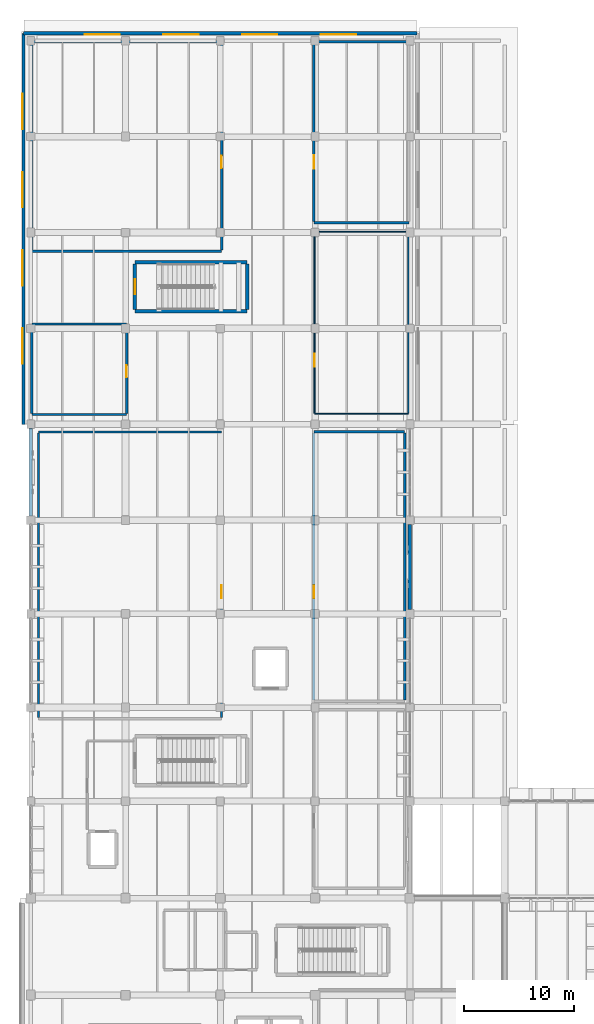
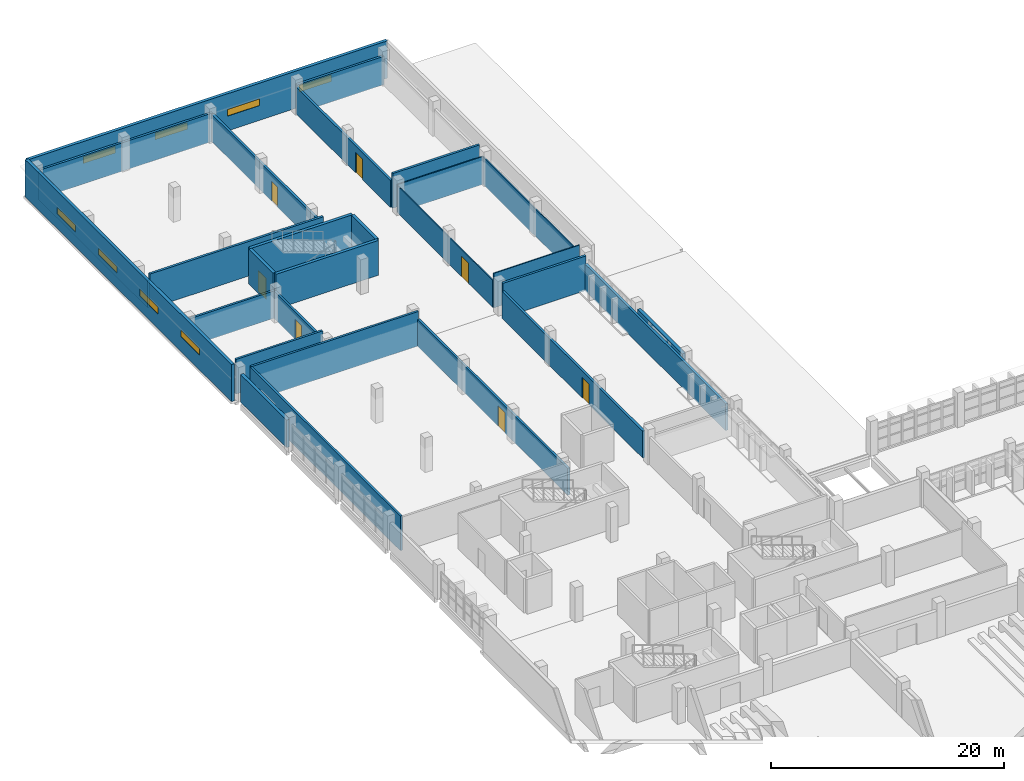
# One storey, part 63 of 80: 29 walls, 8 windows, 7 doors, 15 openings.
"""IFC4 building model written with IfcOpenShell, lengths in metres."""

from ifc_helpers import new_model, si_unit, direction, frame, frame_2d, origin, place, context, subcontext, project, spatial, rectangle, extrude, material, layer, layer_set, type_object, element, fill, save


model = new_model("IFC4")

# Units and contexts
model_context = context("Model", 3, precision=1e-05, world=origin(), true_north=direction((0.0, 1.0)))
body_context = subcontext(model_context, "Body", "Model", "MODEL_VIEW")
ifc_project = project(units=[si_unit("LENGTHUNIT", "METRE"), si_unit("AREAUNIT", "SQUARE_METRE"), si_unit("VOLUMEUNIT", "CUBIC_METRE"), si_unit("PLANEANGLEUNIT", "RADIAN"), si_unit("MASSUNIT", "GRAM", prefix="KILO")], contexts=[model_context])

# Site, building, storey
site_placement = place(None, origin())
site = spatial("IfcSite", under=ifc_project, at=site_placement, CompositionType="ELEMENT")
building_placement = place(site_placement, origin())
building = spatial("IfcBuilding", under=site, at=building_placement, Name="Varnakota Cinema and Media Centre", CompositionType="ELEMENT")
storey_placement = place(building_placement, frame((0.0, 0.0, 4.5)))
storey = spatial("IfcBuildingStorey", under=building, at=storey_placement, Name="L01", CompositionType="ELEMENT", Elevation=4.5)

# Walls
ifc_material_1 = material(Name="Autoclaved aerated concrete blockwork", Category="masonry")
ifc_layer_1 = layer(ifc_material_1, 0.2099609375)
ifc_layer_set_1 = layer_set([ifc_layer_1], Name="Autoclaved aerated concrete blockwork")
wall_type_1 = type_object("IfcWallType", Name="W-ACOUST-210", PredefinedType="PARTITIONING", material=ifc_layer_set_1)
wall_1_placement = place(storey_placement, frame((0.695068359375, 51.60009765625, 0.0), z_axis=(0.0, 0.0, 1.0), x_axis=(0.0, 1.0, 0.0)))
element("IfcWall", 1, at=wall_1_placement, inside=storey, type_object=wall_type_1, Name="L01 RWALL-RM-L01-FOLEY2 W wall", PredefinedType="PARTITIONING", context=body_context, shape_type="SweptSolid", body=[
    extrude(rectangle(XDim=25.7998046875, YDim=0.2099609375, at=frame_2d((12.89990234375, 0.0))), origin(), (0.0, 0.0, 1.0), 3.6298828125),
])
wall_2_placement = place(storey_placement, frame((0.695068359375, 77.5048828125, 0.0), z_axis=(0.0, 0.0, 1.0), x_axis=(1.0, 0.0, 0.0)))
element("IfcWall", 2, at=wall_2_placement, inside=storey, type_object=wall_type_1, Name="L01 RWALL-RM-L01-FOLEY2 N wall", PredefinedType="PARTITIONING", context=body_context, shape_type="SweptSolid", body=[
    extrude(rectangle(XDim=16.60986328125, YDim=0.2099609375, at=frame_2d((8.304931640625, 0.0))), origin(), (0.0, 0.0, 1.0), 3.6298828125),
])

# Wall, opening, door
wall_3_placement = place(storey_placement, frame((17.304931640625, 77.39990234375, 0.0), z_axis=(0.0, 0.0, 1.0), x_axis=(0.0, -1.0, 0.0)))
wall_3 = element("IfcWall", 3, at=wall_3_placement, inside=storey, type_object=wall_type_1, Name="L01 RWALL-RM-L01-FOLEY2 E wall", PredefinedType="PARTITIONING", context=body_context, shape_type="SweptSolid", body=[
    extrude(rectangle(XDim=25.7998046875, YDim=0.2099609375, at=frame_2d((12.89990234375, 0.0))), origin(), (0.0, 0.0, 1.0), 2.830078125),
])
opening_1_placement = place(wall_3_placement, frame((13.800048828125, 0.0, 0.0)))
opening_1 = element("IfcOpeningElement", 4, at=opening_1_placement, cuts=wall_3, Name="Opening D-070", PredefinedType="OPENING", context=body_context, shape_type="SweptSolid", body=[
    extrude(rectangle(XDim=1.199951171875, YDim=2.14990234375, at=frame_2d((0.60009765625, 1.074951171875))), frame((0.0, 0.10498046875, 0.0), z_axis=(0.0, -1.0, 0.0), x_axis=(1.0, 0.0, 0.0)), (0.0, 0.0, 1.0), 0.2099609375),
])
ifc_material_2 = material(Name="Thermally broken anodised aluminium AW-6063", Category="aluminium")
door_type_1 = type_object("IfcDoorType", Name="DR-STD-1200x2150", OperationType="NOTDEFINED", PredefinedType="DOOR", material=ifc_material_2)
door_1_placement = place(opening_1_placement, origin())
door_1 = element("IfcDoor", 5, at=door_1_placement, inside=storey, type_object=door_type_1, Name="L01 door D-070", OperationType="SINGLE_SWING_RIGHT", OverallHeight=2.14990234375, OverallWidth=1.199951171875, PredefinedType="DOOR", context=body_context, shape_type="SweptSolid", body=[
    extrude(rectangle(XDim=1.199951171875, YDim=2.14990234375, at=frame_2d((0.60009765625, 1.074951171875))), frame((0.0, 0.02490234375, 0.0), z_axis=(0.0, -1.0, 0.0), x_axis=(1.0, 0.0, 0.0)), (0.0, 0.0, 1.0), 0.050048828125),
])
fill(opening_1, door_1)

# Walls
wall_4_placement = place(storey_placement, frame((8.705078125, 79.094970703125, 0.0), z_axis=(0.0, 0.0, 1.0), x_axis=(-1.0, 0.0, 0.0)))
element("IfcWall", 6, at=wall_4_placement, inside=storey, type_object=wall_type_1, Name="L01 RWALL-RM-L01-EDITSW S wall", PredefinedType="PARTITIONING", context=body_context, shape_type="SweptSolid", body=[
    extrude(rectangle(XDim=8.610107421875, YDim=0.2099609375, at=frame_2d((4.30517578125, 0.0))), origin(), (0.0, 0.0, 1.0), 3.6298828125),
])
wall_5_placement = place(storey_placement, frame((0.094970703125, 79.199951171875, 0.0), z_axis=(0.0, 0.0, 1.0), x_axis=(0.0, 1.0, 0.0)))
element("IfcWall", 7, at=wall_5_placement, inside=storey, type_object=wall_type_1, Name="L01 RWALL-RM-L01-EDITSW W wall", PredefinedType="PARTITIONING", context=body_context, shape_type="SweptSolid", body=[
    extrude(rectangle(XDim=8.0, YDim=0.2099609375, at=frame_2d((4.0, 0.0))), origin(), (0.0, 0.0, 1.0), 2.8798828125),
])
wall_6_placement = place(storey_placement, frame((0.094970703125, 87.304931640625, 0.0), z_axis=(0.0, 0.0, 1.0), x_axis=(1.0, 0.0, 0.0)))
element("IfcWall", 8, at=wall_6_placement, inside=storey, type_object=wall_type_1, Name="L01 RWALL-RM-L01-EDITSW N wall", PredefinedType="PARTITIONING", context=body_context, shape_type="SweptSolid", body=[
    extrude(rectangle(XDim=8.610107421875, YDim=0.2099609375, at=frame_2d((4.30517578125, 0.0))), origin(), (0.0, 0.0, 1.0), 2.8798828125),
])

# Wall, opening, door
wall_7_placement = place(storey_placement, frame((8.705078125, 87.199951171875, 0.0), z_axis=(0.0, 0.0, 1.0), x_axis=(0.0, -1.0, 0.0)))
wall_7 = element("IfcWall", 9, at=wall_7_placement, inside=storey, type_object=wall_type_1, Name="L01 RWALL-RM-L01-EDITSW E wall", PredefinedType="PARTITIONING", context=body_context, shape_type="SweptSolid", body=[
    extrude(rectangle(XDim=8.0, YDim=0.2099609375, at=frame_2d((4.0, 0.0))), origin(), (0.0, 0.0, 1.0), 2.8798828125),
])
opening_2_placement = place(wall_7_placement, frame((3.64990234375, 0.0, 0.0)))
opening_2 = element("IfcOpeningElement", 10, at=opening_2_placement, cuts=wall_7, Name="Opening D-074", PredefinedType="OPENING", context=body_context, shape_type="SweptSolid", body=[
    extrude(rectangle(XDim=1.10009765625, YDim=2.10009765625, at=frame_2d((0.550048828125, 1.050048828125))), frame((0.0, 0.10498046875, 0.0), z_axis=(0.0, -1.0, 0.0), x_axis=(1.0, 0.0, 0.0)), (0.0, 0.0, 1.0), 0.2099609375),
])
ifc_material_3 = material(Name="Thermally broken anodised aluminium AW-6063", Category="aluminium")
door_type_2 = type_object("IfcDoorType", Name="DR-STD-1100x2100", OperationType="NOTDEFINED", PredefinedType="DOOR", material=ifc_material_3)
door_2_placement = place(opening_2_placement, origin())
door_2 = element("IfcDoor", 11, at=door_2_placement, inside=storey, type_object=door_type_2, Name="L01 door D-074", OperationType="SINGLE_SWING_RIGHT", OverallHeight=2.10009765625, OverallWidth=1.10009765625, PredefinedType="DOOR", context=body_context, shape_type="SweptSolid", body=[
    extrude(rectangle(XDim=1.10009765625, YDim=2.10009765625, at=frame_2d((0.550048828125, 1.050048828125))), frame((0.0, 0.02490234375, 0.0), z_axis=(0.0, -1.0, 0.0), x_axis=(1.0, 0.0, 0.0)), (0.0, 0.0, 1.0), 0.050048828125),
])
fill(opening_2, door_2)

ifc_material_4 = material(Name="Autoclaved aerated concrete blockwork", Category="masonry")
ifc_layer_2 = layer(ifc_material_4, 0.22998046875)
ifc_layer_set_2 = layer_set([ifc_layer_2], Name="Autoclaved aerated concrete blockwork")
wall_type_2 = type_object("IfcWallType", Name="W-BOX-230", PredefinedType="PARTITIONING", material=ifc_layer_set_2)
wall_8_placement = place(storey_placement, frame((25.68505859375, 53.199951171875, 0.0), z_axis=(0.0, 0.0, 1.0), x_axis=(0.0, 1.0, 0.0)))
wall_8 = element("IfcWall", 12, at=wall_8_placement, inside=storey, type_object=wall_type_2, Name="L01 RWALL-RM-L01-MCR W wall", PredefinedType="PARTITIONING", context=body_context, shape_type="SweptSolid", body=[
    extrude(rectangle(XDim=24.199951171875, YDim=0.22998046875, at=frame_2d((12.10009765625, 0.0))), origin(), (0.0, 0.0, 1.0), 2.830078125),
])
opening_3_placement = place(wall_8_placement, frame((9.199951171875, 0.0, 0.0)))
opening_3 = element("IfcOpeningElement", 13, at=opening_3_placement, cuts=wall_8, Name="Opening D-069", PredefinedType="OPENING", context=body_context, shape_type="SweptSolid", body=[
    extrude(rectangle(XDim=1.199951171875, YDim=2.14990234375, at=frame_2d((0.60009765625, 1.074951171875))), frame((0.0, 0.114990234375, 0.0), z_axis=(0.0, -1.0, 0.0), x_axis=(1.0, 0.0, 0.0)), (0.0, 0.0, 1.0), 0.22998046875),
])
door_3_placement = place(opening_3_placement, origin())
door_3 = element("IfcDoor", 14, at=door_3_placement, inside=storey, type_object=door_type_1, Name="L01 door D-069", OperationType="SINGLE_SWING_LEFT", OverallHeight=2.14990234375, OverallWidth=1.199951171875, PredefinedType="DOOR", context=body_context, shape_type="SweptSolid", body=[
    extrude(rectangle(XDim=1.199951171875, YDim=2.14990234375, at=frame_2d((0.60009765625, 1.074951171875))), frame((0.0, 0.02490234375, 0.0), z_axis=(0.0, -1.0, 0.0), x_axis=(1.0, 0.0, 0.0)), (0.0, 0.0, 1.0), 0.050048828125),
])
fill(opening_3, door_3)

# Walls
wall_9_placement = place(storey_placement, frame((25.68505859375, 77.514892578125, 0.0), z_axis=(0.0, 0.0, 1.0), x_axis=(1.0, 0.0, 0.0)))
element("IfcWall", 15, at=wall_9_placement, inside=storey, type_object=wall_type_2, Name="L01 RWALL-RM-L01-MCR N wall", PredefinedType="PARTITIONING", context=body_context, shape_type="SweptSolid", body=[
    extrude(rectangle(XDim=8.22998046875, YDim=0.22998046875, at=frame_2d((4.114990234375, 0.0))), origin(), (0.0, 0.0, 1.0), 3.6298828125),
])
wall_10_placement = place(storey_placement, frame((33.9150390625, 77.39990234375, 0.0), z_axis=(0.0, 0.0, 1.0), x_axis=(0.0, -1.0, 0.0)))
element("IfcWall", 16, at=wall_10_placement, inside=storey, type_object=wall_type_2, Name="L01 RWALL-RM-L01-MCR E wall", PredefinedType="PARTITIONING", context=body_context, shape_type="SweptSolid", body=[
    extrude(rectangle(XDim=24.199951171875, YDim=0.22998046875, at=frame_2d((12.10009765625, 0.0))), origin(), (0.0, 0.0, 1.0), 2.830078125),
])
wall_11_placement = place(storey_placement, frame((34.31494140625, 96.485107421875, 0.0), z_axis=(0.0, 0.0, 1.0), x_axis=(-1.0, 0.0, 0.0)))
element("IfcWall", 17, at=wall_11_placement, inside=storey, type_object=wall_type_2, Name="L01 RWALL-RM-L01-TIMING S wall", PredefinedType="PARTITIONING", context=body_context, shape_type="SweptSolid", body=[
    extrude(rectangle(XDim=8.6298828125, YDim=0.22998046875, at=frame_2d((4.31494140625, 0.0))), origin(), (0.0, 0.0, 1.0), 3.6298828125),
])

# Wall, opening, door
wall_12_placement = place(storey_placement, frame((25.68505859375, 96.60009765625, 0.0), z_axis=(0.0, 0.0, 1.0), x_axis=(0.0, 1.0, 0.0)))
wall_12 = element("IfcWall", 18, at=wall_12_placement, inside=storey, type_object=wall_type_2, Name="L01 RWALL-RM-L01-TIMING W wall", PredefinedType="PARTITIONING", context=body_context, shape_type="SweptSolid", body=[
    extrude(rectangle(XDim=16.199951171875, YDim=0.22998046875, at=frame_2d((8.10009765625, 0.0))), origin(), (0.0, 0.0, 1.0), 2.830078125),
])
opening_4_placement = place(wall_12_placement, frame((4.800048828125, 0.0, 0.0)))
opening_4 = element("IfcOpeningElement", 19, at=opening_4_placement, cuts=wall_12, Name="Opening D-072", PredefinedType="OPENING", context=body_context, shape_type="SweptSolid", body=[
    extrude(rectangle(XDim=1.199951171875, YDim=2.14990234375, at=frame_2d((0.60009765625, 1.074951171875))), frame((0.0, 0.114990234375, 0.0), z_axis=(0.0, -1.0, 0.0), x_axis=(1.0, 0.0, 0.0)), (0.0, 0.0, 1.0), 0.22998046875),
])
door_4_placement = place(opening_4_placement, origin())
door_4 = element("IfcDoor", 20, at=door_4_placement, inside=storey, type_object=door_type_1, Name="L01 door D-072", OperationType="SINGLE_SWING_RIGHT", OverallHeight=2.14990234375, OverallWidth=1.199951171875, PredefinedType="DOOR", context=body_context, shape_type="SweptSolid", body=[
    extrude(rectangle(XDim=1.199951171875, YDim=2.14990234375, at=frame_2d((0.60009765625, 1.074951171875))), frame((0.0, 0.02490234375, 0.0), z_axis=(0.0, -1.0, 0.0), x_axis=(1.0, 0.0, 0.0)), (0.0, 0.0, 1.0), 0.050048828125),
])
fill(opening_4, door_4)

# Walls
wall_13_placement = place(storey_placement, frame((25.68505859375, 112.9150390625, 0.0), z_axis=(0.0, 0.0, 1.0), x_axis=(1.0, 0.0, 0.0)))
element("IfcWall", 21, at=wall_13_placement, inside=storey, type_object=wall_type_2, Name="L01 RWALL-RM-L01-TIMING N wall", PredefinedType="PARTITIONING", context=body_context, shape_type="SweptSolid", body=[
    extrude(rectangle(XDim=8.6298828125, YDim=0.22998046875, at=frame_2d((4.31494140625, 0.0))), origin(), (0.0, 0.0, 1.0), 2.97998046875),
])
wall_14_placement = place(storey_placement, frame((17.31494140625, 93.885009765625, 0.0), z_axis=(0.0, 0.0, 1.0), x_axis=(-1.0, 0.0, 0.0)))
element("IfcWall", 22, at=wall_14_placement, inside=storey, type_object=wall_type_2, Name="L01 RWALL-RM-L01-EDITW S wall", PredefinedType="PARTITIONING", context=body_context, shape_type="SweptSolid", body=[
    extrude(rectangle(XDim=17.22998046875, YDim=0.22998046875, at=frame_2d((8.614990234375, 0.0))), origin(), (0.0, 0.0, 1.0), 3.6298828125),
])
wall_15_placement = place(storey_placement, frame((0.0849609375, 94.0, 0.0), z_axis=(0.0, 0.0, 1.0), x_axis=(0.0, 1.0, 0.0)))
element("IfcWall", 23, at=wall_15_placement, inside=storey, type_object=wall_type_2, Name="L01 RWALL-RM-L01-EDITW W wall", PredefinedType="PARTITIONING", context=body_context, shape_type="SweptSolid", body=[
    extrude(rectangle(XDim=18.800048828125, YDim=0.22998046875, at=frame_2d((9.39990234375, 0.0))), origin(), (0.0, 0.0, 1.0), 2.8798828125),
])
wall_16_placement = place(storey_placement, frame((0.0849609375, 112.9150390625, 0.0), z_axis=(0.0, 0.0, 1.0), x_axis=(1.0, 0.0, 0.0)))
element("IfcWall", 24, at=wall_16_placement, inside=storey, type_object=wall_type_2, Name="L01 RWALL-RM-L01-EDITW N wall", PredefinedType="PARTITIONING", context=body_context, shape_type="SweptSolid", body=[
    extrude(rectangle(XDim=17.22998046875, YDim=0.22998046875, at=frame_2d((8.614990234375, 0.0))), origin(), (0.0, 0.0, 1.0), 2.97998046875),
])

# Wall, opening, door
wall_17_placement = place(storey_placement, frame((17.31494140625, 112.800048828125, 0.0), z_axis=(0.0, 0.0, 1.0), x_axis=(0.0, -1.0, 0.0)))
wall_17 = element("IfcWall", 25, at=wall_17_placement, inside=storey, type_object=wall_type_2, Name="L01 RWALL-RM-L01-EDITW E wall", PredefinedType="PARTITIONING", context=body_context, shape_type="SweptSolid", body=[
    extrude(rectangle(XDim=18.800048828125, YDim=0.22998046875, at=frame_2d((9.39990234375, 0.0))), origin(), (0.0, 0.0, 1.0), 2.8798828125),
])
opening_5_placement = place(wall_17_placement, frame((10.25, 0.0, 0.0)))
opening_5 = element("IfcOpeningElement", 26, at=opening_5_placement, cuts=wall_17, Name="Opening D-073", PredefinedType="OPENING", context=body_context, shape_type="SweptSolid", body=[
    extrude(rectangle(XDim=1.10009765625, YDim=2.10009765625, at=frame_2d((0.550048828125, 1.050048828125))), frame((0.0, 0.114990234375, 0.0), z_axis=(0.0, -1.0, 0.0), x_axis=(1.0, 0.0, 0.0)), (0.0, 0.0, 1.0), 0.22998046875),
])
door_5_placement = place(opening_5_placement, origin())
door_5 = element("IfcDoor", 27, at=door_5_placement, inside=storey, type_object=door_type_2, Name="L01 door D-073", OperationType="SINGLE_SWING_LEFT", OverallHeight=2.10009765625, OverallWidth=1.10009765625, PredefinedType="DOOR", context=body_context, shape_type="SweptSolid", body=[
    extrude(rectangle(XDim=1.10009765625, YDim=2.10009765625, at=frame_2d((0.550048828125, 1.050048828125))), frame((0.0, 0.02490234375, 0.0), z_axis=(0.0, -1.0, 0.0), x_axis=(1.0, 0.0, 0.0)), (0.0, 0.0, 1.0), 0.050048828125),
])
fill(opening_5, door_5)

# Wall
ifc_material_5 = material(Name="Concrete M40", Category="concrete")
ifc_layer_3 = layer(ifc_material_5, 0.300048828125)
ifc_layer_set_3 = layer_set([ifc_layer_3], Name="Concrete M40")
wall_type_3 = type_object("IfcWallType", Name="W-CORE-300", PredefinedType="SHEAR", material=ifc_layer_set_3)
wall_18_placement = place(storey_placement, frame((19.6298828125, 88.449951171875, 0.0), z_axis=(0.0, 0.0, 1.0), x_axis=(-1.0, 0.0, 0.0)))
element("IfcWall", 28, at=wall_18_placement, inside=storey, type_object=wall_type_3, Name="L01 CWALL-ST-05-L01 S wall", PredefinedType="SHEAR", context=body_context, shape_type="SweptSolid", body=[
    extrude(rectangle(XDim=10.179931640625, YDim=0.300048828125, at=frame_2d((5.08984375, 0.0))), origin(), (0.0, 0.0, 1.0), 3.64990234375),
])

# Wall, opening, door
wall_19_placement = place(storey_placement, frame((9.449951171875, 88.60009765625, 0.0), z_axis=(0.0, 0.0, 1.0), x_axis=(0.0, 1.0, 0.0)))
wall_19 = element("IfcWall", 29, at=wall_19_placement, inside=storey, type_object=wall_type_3, Name="L01 CWALL-ST-05-L01 W wall", PredefinedType="SHEAR", context=body_context, shape_type="SweptSolid", body=[
    extrude(rectangle(XDim=4.14990234375, YDim=0.300048828125, at=frame_2d((2.074951171875, 0.0))), origin(), (0.0, 0.0, 1.0), 3.64990234375),
])
opening_6_placement = place(wall_19_placement, frame((1.39990234375, 0.0, 0.0)))
opening_6 = element("IfcOpeningElement", 30, at=opening_6_placement, cuts=wall_19, Name="Opening SD-05", PredefinedType="OPENING", context=body_context, shape_type="SweptSolid", body=[
    extrude(rectangle(XDim=1.35009765625, YDim=2.199951171875, at=frame_2d((0.675048828125, 1.10009765625))), frame((0.0, 0.14990234375, 0.0), z_axis=(0.0, -1.0, 0.0), x_axis=(1.0, 0.0, 0.0)), (0.0, 0.0, 1.0), 0.300048828125),
])
ifc_material_6 = material(Name="Thermally broken anodised aluminium AW-6063", Category="aluminium")
door_type_3 = type_object("IfcDoorType", Name="DR-STAIR-1350x2200", OperationType="NOTDEFINED", PredefinedType="DOOR", material=ifc_material_6)
door_6_placement = place(opening_6_placement, origin())
door_6 = element("IfcDoor", 31, at=door_6_placement, inside=storey, type_object=door_type_3, Name="L01 door SD-05", OperationType="SINGLE_SWING_RIGHT", OverallHeight=2.199951171875, OverallWidth=1.35009765625, PredefinedType="DOOR", context=body_context, shape_type="SweptSolid", body=[
    extrude(rectangle(XDim=1.35009765625, YDim=2.199951171875, at=frame_2d((0.675048828125, 1.10009765625))), frame((0.0, 0.02490234375, 0.0), z_axis=(0.0, -1.0, 0.0), x_axis=(1.0, 0.0, 0.0)), (0.0, 0.0, 1.0), 0.050048828125),
])
fill(opening_6, door_6)

# Walls
wall_20_placement = place(storey_placement, frame((9.449951171875, 92.89990234375, 0.0), z_axis=(0.0, 0.0, 1.0), x_axis=(1.0, 0.0, 0.0)))
element("IfcWall", 32, at=wall_20_placement, inside=storey, type_object=wall_type_3, Name="L01 CWALL-ST-05-L01 N wall", PredefinedType="SHEAR", context=body_context, shape_type="SweptSolid", body=[
    extrude(rectangle(XDim=10.179931640625, YDim=0.300048828125, at=frame_2d((5.08984375, 0.0))), origin(), (0.0, 0.0, 1.0), 3.64990234375),
])
wall_21_placement = place(storey_placement, frame((19.6298828125, 92.75, 0.0), z_axis=(0.0, 0.0, 1.0), x_axis=(0.0, -1.0, 0.0)))
element("IfcWall", 33, at=wall_21_placement, inside=storey, type_object=wall_type_3, Name="L01 CWALL-ST-05-L01 E wall", PredefinedType="SHEAR", context=body_context, shape_type="SweptSolid", body=[
    extrude(rectangle(XDim=4.14990234375, YDim=0.300048828125, at=frame_2d((2.074951171875, 0.0))), origin(), (0.0, 0.0, 1.0), 3.64990234375),
])

# Wall, openings, windows
ifc_material_7 = material(Name="Concrete M40", Category="concrete")
ifc_layer_4 = layer(ifc_material_7, 0.31005859375)
ifc_layer_set_4 = layer_set([ifc_layer_4], Name="Concrete M40")
wall_type_4 = type_object("IfcWallType", Name="W-EXT-CONC-310", PredefinedType="SOLIDWALL", material=ifc_layer_set_4)
wall_22_placement = place(storey_placement, frame((-0.659912109375, 113.659912109375, 0.0), z_axis=(0.0, 0.0, 1.0), x_axis=(1.0, 0.0, 0.0)))
wall_22 = element("IfcWall", 34, at=wall_22_placement, inside=storey, type_object=wall_type_4, Name="L01 V7 plain board-marked concrete wall V7-N", PredefinedType="SOLIDWALL", context=body_context, shape_type="SweptSolid", body=[
    extrude(rectangle(XDim=35.719970703125, YDim=0.31005859375, at=frame_2d((17.85986328125, 0.0))), origin(), (0.0, 0.0, 1.0), 3.89990234375),
])
opening_7_placement = place(wall_22_placement, frame((5.5439453125, 0.0, 1.550048828125)))
opening_7 = element("IfcOpeningElement", 35, at=opening_7_placement, cuts=wall_22, Name="Opening WR01", PredefinedType="OPENING", context=body_context, shape_type="SweptSolid", body=[
    extrude(rectangle(XDim=3.199951171875, YDim=0.699951171875, at=frame_2d((1.60009765625, 0.35009765625))), frame((0.0, 0.155029296875, 0.0), z_axis=(0.0, -1.0, 0.0), x_axis=(1.0, 0.0, 0.0)), (0.0, 0.0, 1.0), 0.31005859375),
])
opening_8_placement = place(wall_22_placement, frame((12.68798828125, 0.0, 1.550048828125)))
opening_8 = element("IfcOpeningElement", 36, at=opening_8_placement, cuts=wall_22, Name="Opening WR01", PredefinedType="OPENING", context=body_context, shape_type="SweptSolid", body=[
    extrude(rectangle(XDim=3.199951171875, YDim=0.699951171875, at=frame_2d((1.60009765625, 0.35009765625))), frame((0.0, 0.155029296875, 0.0), z_axis=(0.0, -1.0, 0.0), x_axis=(1.0, 0.0, 0.0)), (0.0, 0.0, 1.0), 0.31005859375),
])
opening_9_placement = place(wall_22_placement, frame((19.83203125, 0.0, 1.550048828125)))
opening_9 = element("IfcOpeningElement", 37, at=opening_9_placement, cuts=wall_22, Name="Opening WR01", PredefinedType="OPENING", context=body_context, shape_type="SweptSolid", body=[
    extrude(rectangle(XDim=3.199951171875, YDim=0.699951171875, at=frame_2d((1.60009765625, 0.35009765625))), frame((0.0, 0.155029296875, 0.0), z_axis=(0.0, -1.0, 0.0), x_axis=(1.0, 0.0, 0.0)), (0.0, 0.0, 1.0), 0.31005859375),
])
opening_10_placement = place(wall_22_placement, frame((26.97607421875, 0.0, 1.550048828125)))
opening_10 = element("IfcOpeningElement", 38, at=opening_10_placement, cuts=wall_22, Name="Opening WR01", PredefinedType="OPENING", context=body_context, shape_type="SweptSolid", body=[
    extrude(rectangle(XDim=3.199951171875, YDim=0.699951171875, at=frame_2d((1.60009765625, 0.35009765625))), frame((0.0, 0.155029296875, 0.0), z_axis=(0.0, -1.0, 0.0), x_axis=(1.0, 0.0, 0.0)), (0.0, 0.0, 1.0), 0.31005859375),
])
ifc_material_8 = material(Name="Laminated solar-control double glazing", Category="glass")
window_type = type_object("IfcWindowType", Name="WIN-SLOT-320x070", PartitioningType="SINGLE_PANEL", PredefinedType="WINDOW", material=ifc_material_8)
window_1_placement = place(opening_7_placement, origin())
window_1 = element("IfcWindow", 39, at=window_1_placement, inside=storey, type_object=window_type, Name="L01 window WR01", OverallHeight=0.699951171875, OverallWidth=3.199951171875, PartitioningType="SINGLE_PANEL", PredefinedType="WINDOW", context=body_context, shape_type="SweptSolid", body=[
    extrude(rectangle(XDim=3.199951171875, YDim=0.699951171875, at=frame_2d((1.60009765625, 0.35009765625))), frame((0.0, -0.06005859375, 0.0), z_axis=(0.0, -1.0, 0.0), x_axis=(1.0, 0.0, 0.0)), (0.0, 0.0, 1.0), 0.06005859375),
])
fill(opening_7, window_1)
window_2_placement = place(opening_8_placement, origin())
window_2 = element("IfcWindow", 40, at=window_2_placement, inside=storey, type_object=window_type, Name="L01 window WR01", OverallHeight=0.699951171875, OverallWidth=3.199951171875, PartitioningType="SINGLE_PANEL", PredefinedType="WINDOW", context=body_context, shape_type="SweptSolid", body=[
    extrude(rectangle(XDim=3.199951171875, YDim=0.699951171875, at=frame_2d((1.60009765625, 0.35009765625))), frame((0.0, -0.06005859375, 0.0), z_axis=(0.0, -1.0, 0.0), x_axis=(1.0, 0.0, 0.0)), (0.0, 0.0, 1.0), 0.06005859375),
])
fill(opening_8, window_2)
window_3_placement = place(opening_9_placement, origin())
window_3 = element("IfcWindow", 41, at=window_3_placement, inside=storey, type_object=window_type, Name="L01 window WR01", OverallHeight=0.699951171875, OverallWidth=3.199951171875, PartitioningType="SINGLE_PANEL", PredefinedType="WINDOW", context=body_context, shape_type="SweptSolid", body=[
    extrude(rectangle(XDim=3.199951171875, YDim=0.699951171875, at=frame_2d((1.60009765625, 0.35009765625))), frame((0.0, -0.06005859375, 0.0), z_axis=(0.0, -1.0, 0.0), x_axis=(1.0, 0.0, 0.0)), (0.0, 0.0, 1.0), 0.06005859375),
])
fill(opening_9, window_3)
window_4_placement = place(opening_10_placement, origin())
window_4 = element("IfcWindow", 42, at=window_4_placement, inside=storey, type_object=window_type, Name="L01 window WR01", OverallHeight=0.699951171875, OverallWidth=3.199951171875, PartitioningType="SINGLE_PANEL", PredefinedType="WINDOW", context=body_context, shape_type="SweptSolid", body=[
    extrude(rectangle(XDim=3.199951171875, YDim=0.699951171875, at=frame_2d((1.60009765625, 0.35009765625))), frame((0.0, -0.06005859375, 0.0), z_axis=(0.0, -1.0, 0.0), x_axis=(1.0, 0.0, 0.0)), (0.0, 0.0, 1.0), 0.06005859375),
])
fill(opening_10, window_4)

wall_23_placement = place(storey_placement, frame((-0.659912109375, 113.659912109375, 0.0), z_axis=(0.0, 0.0, 1.0), x_axis=(0.0, -1.0, 0.0)))
wall_23 = element("IfcWall", 43, at=wall_23_placement, inside=storey, type_object=wall_type_4, Name="L01 V7 plain board-marked concrete wall V7-W", PredefinedType="SOLIDWALL", context=body_context, shape_type="SweptSolid", body=[
    extrude(rectangle(XDim=35.4599609375, YDim=0.31005859375, at=frame_2d((17.72998046875, 0.0))), origin(), (0.0, 0.0, 1.0), 3.89990234375),
])
opening_11_placement = place(wall_23_placement, frame((5.491943359375, 0.0, 1.550048828125)))
opening_11 = element("IfcOpeningElement", 44, at=opening_11_placement, cuts=wall_23, Name="Opening WR01", PredefinedType="OPENING", context=body_context, shape_type="SweptSolid", body=[
    extrude(rectangle(XDim=3.199951171875, YDim=0.699951171875, at=frame_2d((1.60009765625, 0.35009765625))), frame((0.0, 0.155029296875, 0.0), z_axis=(0.0, -1.0, 0.0), x_axis=(1.0, 0.0, 0.0)), (0.0, 0.0, 1.0), 0.31005859375),
])
opening_12_placement = place(wall_23_placement, frame((12.583984375, 0.0, 1.550048828125)))
opening_12 = element("IfcOpeningElement", 45, at=opening_12_placement, cuts=wall_23, Name="Opening WR01", PredefinedType="OPENING", context=body_context, shape_type="SweptSolid", body=[
    extrude(rectangle(XDim=3.199951171875, YDim=0.699951171875, at=frame_2d((1.60009765625, 0.35009765625))), frame((0.0, 0.155029296875, 0.0), z_axis=(0.0, -1.0, 0.0), x_axis=(1.0, 0.0, 0.0)), (0.0, 0.0, 1.0), 0.31005859375),
])
opening_13_placement = place(wall_23_placement, frame((19.676025390625, 0.0, 1.550048828125)))
opening_13 = element("IfcOpeningElement", 46, at=opening_13_placement, cuts=wall_23, Name="Opening WR01", PredefinedType="OPENING", context=body_context, shape_type="SweptSolid", body=[
    extrude(rectangle(XDim=3.199951171875, YDim=0.699951171875, at=frame_2d((1.60009765625, 0.35009765625))), frame((0.0, 0.155029296875, 0.0), z_axis=(0.0, -1.0, 0.0), x_axis=(1.0, 0.0, 0.0)), (0.0, 0.0, 1.0), 0.31005859375),
])
opening_14_placement = place(wall_23_placement, frame((26.76806640625, 0.0, 1.550048828125)))
opening_14 = element("IfcOpeningElement", 47, at=opening_14_placement, cuts=wall_23, Name="Opening WR01", PredefinedType="OPENING", context=body_context, shape_type="SweptSolid", body=[
    extrude(rectangle(XDim=3.199951171875, YDim=0.699951171875, at=frame_2d((1.60009765625, 0.35009765625))), frame((0.0, 0.155029296875, 0.0), z_axis=(0.0, -1.0, 0.0), x_axis=(1.0, 0.0, 0.0)), (0.0, 0.0, 1.0), 0.31005859375),
])
window_5_placement = place(opening_11_placement, origin())
window_5 = element("IfcWindow", 48, at=window_5_placement, inside=storey, type_object=window_type, Name="L01 window WR01", OverallHeight=0.699951171875, OverallWidth=3.199951171875, PartitioningType="SINGLE_PANEL", PredefinedType="WINDOW", context=body_context, shape_type="SweptSolid", body=[
    extrude(rectangle(XDim=3.199951171875, YDim=0.699951171875, at=frame_2d((1.60009765625, 0.35009765625))), frame((0.0, -0.06005859375, 0.0), z_axis=(0.0, -1.0, 0.0), x_axis=(1.0, 0.0, 0.0)), (0.0, 0.0, 1.0), 0.06005859375),
])
fill(opening_11, window_5)
window_6_placement = place(opening_12_placement, origin())
window_6 = element("IfcWindow", 49, at=window_6_placement, inside=storey, type_object=window_type, Name="L01 window WR01", OverallHeight=0.699951171875, OverallWidth=3.199951171875, PartitioningType="SINGLE_PANEL", PredefinedType="WINDOW", context=body_context, shape_type="SweptSolid", body=[
    extrude(rectangle(XDim=3.199951171875, YDim=0.699951171875, at=frame_2d((1.60009765625, 0.35009765625))), frame((0.0, -0.06005859375, 0.0), z_axis=(0.0, -1.0, 0.0), x_axis=(1.0, 0.0, 0.0)), (0.0, 0.0, 1.0), 0.06005859375),
])
fill(opening_12, window_6)
window_7_placement = place(opening_13_placement, origin())
window_7 = element("IfcWindow", 50, at=window_7_placement, inside=storey, type_object=window_type, Name="L01 window WR01", OverallHeight=0.699951171875, OverallWidth=3.199951171875, PartitioningType="SINGLE_PANEL", PredefinedType="WINDOW", context=body_context, shape_type="SweptSolid", body=[
    extrude(rectangle(XDim=3.199951171875, YDim=0.699951171875, at=frame_2d((1.60009765625, 0.35009765625))), frame((0.0, -0.06005859375, 0.0), z_axis=(0.0, -1.0, 0.0), x_axis=(1.0, 0.0, 0.0)), (0.0, 0.0, 1.0), 0.06005859375),
])
fill(opening_13, window_7)
window_8_placement = place(opening_14_placement, origin())
window_8 = element("IfcWindow", 51, at=window_8_placement, inside=storey, type_object=window_type, Name="L01 window WR01", OverallHeight=0.699951171875, OverallWidth=3.199951171875, PartitioningType="SINGLE_PANEL", PredefinedType="WINDOW", context=body_context, shape_type="SweptSolid", body=[
    extrude(rectangle(XDim=3.199951171875, YDim=0.699951171875, at=frame_2d((1.60009765625, 0.35009765625))), frame((0.0, -0.06005859375, 0.0), z_axis=(0.0, -1.0, 0.0), x_axis=(1.0, 0.0, 0.0)), (0.0, 0.0, 1.0), 0.06005859375),
])
fill(opening_14, window_8)

# Walls
ifc_material_9 = material(Name="Deccan grey granite ashlar", Category="masonry")
ifc_layer_5 = layer(ifc_material_9, 0.320068359375)
ifc_layer_set_5 = layer_set([ifc_layer_5], Name="Deccan grey granite ashlar")
wall_type_5 = type_object("IfcWallType", Name="W-EXT-GRAN-320", PredefinedType="SOLIDWALL", material=ifc_layer_set_5)
wall_24_placement = place(storey_placement, frame((34.39990234375, 61.39990234375, 0.0), z_axis=(0.0, 0.0, 1.0), x_axis=(0.0, 1.0, 0.0)))
element("IfcWall", 52, at=wall_24_placement, inside=storey, type_object=wall_type_5, Name="L01 exterior wall V5-E-4", PredefinedType="SOLIDWALL", context=body_context, shape_type="SweptSolid", body=[
    extrude(rectangle(XDim=7.72509765625, YDim=0.320068359375, at=frame_2d((3.862548828125, 0.0))), origin(), (0.0, 0.0, 1.0), 2.93505859375),
])
wall_25_placement = place(storey_placement, frame((0.0, 77.800048828125, 0.0), z_axis=(0.0, 0.0, 1.0), x_axis=(0.0, -1.0, 0.0)))
element("IfcWall", 53, at=wall_25_placement, inside=storey, type_object=wall_type_5, Name="L01 exterior wall V5-W-1", PredefinedType="SOLIDWALL", context=body_context, shape_type="SweptSolid", body=[
    extrude(rectangle(XDim=7.925048828125, YDim=0.320068359375, at=frame_2d((3.96240234375, 0.0))), origin(), (0.0, 0.0, 1.0), 2.885009765625),
])
ifc_material_10 = material(Name="Autoclaved aerated concrete blockwork", Category="masonry")
ifc_layer_6 = layer(ifc_material_10, 0.110107421875)
ifc_layer_set_6 = layer_set([ifc_layer_6], Name="Autoclaved aerated concrete blockwork")
wall_type_6 = type_object("IfcWallType", Name="W-PART-110", PredefinedType="PARTITIONING", material=ifc_layer_set_6)
wall_26_placement = place(storey_placement, frame((34.2548828125, 79.14501953125, 0.0), z_axis=(0.0, 0.0, 1.0), x_axis=(-1.0, 0.0, 0.0)))
element("IfcWall", 54, at=wall_26_placement, inside=storey, type_object=wall_type_6, Name="L01 RWALL-RM-L01-EDIT2 S wall", PredefinedType="PARTITIONING", context=body_context, shape_type="SweptSolid", body=[
    extrude(rectangle(XDim=8.509765625, YDim=0.110107421875, at=frame_2d((4.2548828125, 0.0))), origin(), (0.0, 0.0, 1.0), 3.6298828125),
])

# Wall, opening, door
wall_27_placement = place(storey_placement, frame((25.7451171875, 79.199951171875, 0.0), z_axis=(0.0, 0.0, 1.0), x_axis=(0.0, 1.0, 0.0)))
wall_27 = element("IfcWall", 55, at=wall_27_placement, inside=storey, type_object=wall_type_6, Name="L01 RWALL-RM-L01-EDIT2 W wall", PredefinedType="PARTITIONING", context=body_context, shape_type="SweptSolid", body=[
    extrude(rectangle(XDim=16.400146484375, YDim=0.110107421875, at=frame_2d((8.2001953125, 0.0))), origin(), (0.0, 0.0, 1.0), 2.830078125),
])
opening_15_placement = place(wall_27_placement, frame((4.199951171875, 0.0, 0.0)))
opening_15 = element("IfcOpeningElement", 56, at=opening_15_placement, cuts=wall_27, Name="Opening D-071", PredefinedType="OPENING", context=body_context, shape_type="SweptSolid", body=[
    extrude(rectangle(XDim=1.199951171875, YDim=2.14990234375, at=frame_2d((0.60009765625, 1.074951171875))), frame((0.0, 0.05517578125, 0.0), z_axis=(0.0, -1.0, 0.0), x_axis=(1.0, 0.0, 0.0)), (0.0, 0.0, 1.0), 0.110107421875),
])
door_7_placement = place(opening_15_placement, origin())
door_7 = element("IfcDoor", 57, at=door_7_placement, inside=storey, type_object=door_type_1, Name="L01 door D-071", OperationType="SINGLE_SWING_LEFT", OverallHeight=2.14990234375, OverallWidth=1.199951171875, PredefinedType="DOOR", context=body_context, shape_type="SweptSolid", body=[
    extrude(rectangle(XDim=1.199951171875, YDim=2.14990234375, at=frame_2d((0.60009765625, 1.074951171875))), frame((0.0, 0.02490234375, 0.0), z_axis=(0.0, -1.0, 0.0), x_axis=(1.0, 0.0, 0.0)), (0.0, 0.0, 1.0), 0.050048828125),
])
fill(opening_15, door_7)

# Walls
wall_28_placement = place(storey_placement, frame((25.7451171875, 95.655029296875, 0.0), z_axis=(0.0, 0.0, 1.0), x_axis=(1.0, 0.0, 0.0)))
element("IfcWall", 58, at=wall_28_placement, inside=storey, type_object=wall_type_6, Name="L01 RWALL-RM-L01-EDIT2 N wall", PredefinedType="PARTITIONING", context=body_context, shape_type="SweptSolid", body=[
    extrude(rectangle(XDim=8.509765625, YDim=0.110107421875, at=frame_2d((4.2548828125, 0.0))), origin(), (0.0, 0.0, 1.0), 2.929931640625),
])
wall_29_placement = place(storey_placement, frame((34.2548828125, 95.60009765625, 0.0), z_axis=(0.0, 0.0, 1.0), x_axis=(0.0, -1.0, 0.0)))
element("IfcWall", 59, at=wall_29_placement, inside=storey, type_object=wall_type_6, Name="L01 RWALL-RM-L01-EDIT2 E wall", PredefinedType="PARTITIONING", context=body_context, shape_type="SweptSolid", body=[
    extrude(rectangle(XDim=16.400146484375, YDim=0.110107421875, at=frame_2d((8.2001953125, 0.0))), origin(), (0.0, 0.0, 1.0), 2.8798828125),
])

save(model, "model.ifc")
